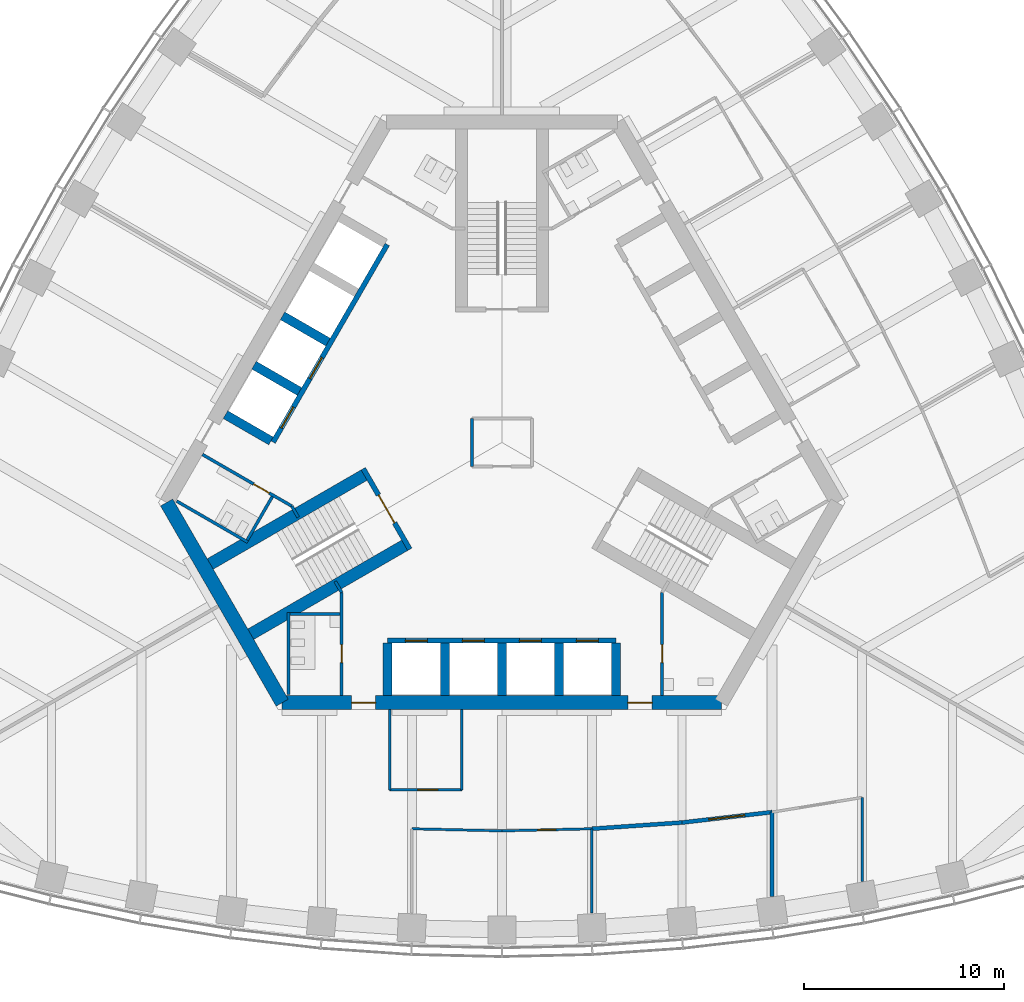
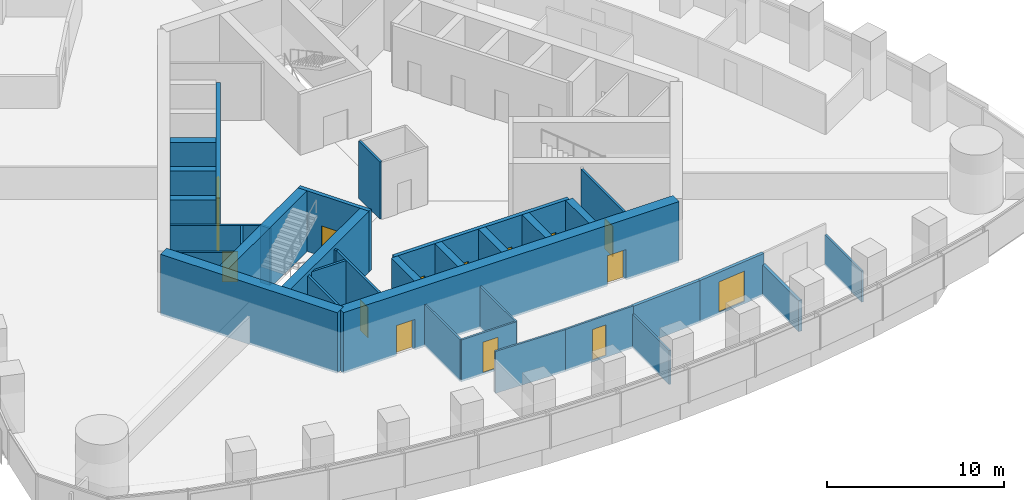
# One storey, part 11 of 19: 35 walls, 15 doors, 15 openings.
"""IFC4 building model written with IfcOpenShell, lengths in metres."""

from ifc_helpers import new_model, si_unit, direction, frame, frame_2d, origin, place, context, subcontext, project, spatial, rectangle, extrude, material, layer, layer_set, type_object, element, fill, save


model = new_model("IFC4")

# Units and contexts
model_context = context("Model", 3, precision=1e-05, world=origin(), true_north=direction((0.0, 1.0)))
body_context = subcontext(model_context, "Body", "Model", "MODEL_VIEW")
ifc_project = project(units=[si_unit("LENGTHUNIT", "METRE"), si_unit("AREAUNIT", "SQUARE_METRE"), si_unit("VOLUMEUNIT", "CUBIC_METRE"), si_unit("PLANEANGLEUNIT", "RADIAN"), si_unit("MASSUNIT", "GRAM", prefix="KILO")], contexts=[model_context])

# Site, building, storey
site_placement = place(None, origin())
site = spatial("IfcSite", under=ifc_project, at=site_placement, CompositionType="ELEMENT")
building_placement = place(site_placement, origin())
building = spatial("IfcBuilding", under=site, at=building_placement, Name="Trefoil Bronze Tower", CompositionType="ELEMENT")
storey_placement = place(building_placement, frame((0.0, 0.0, 261.10009765625)))
storey = spatial("IfcBuildingStorey", under=building, at=storey_placement, Name="L60", CompositionType="ELEMENT", Elevation=261.10009765625)

# Wall
ifc_material_1 = material(Name="Gypsum board on steel studs", Category="steel")
ifc_layer_1 = layer(ifc_material_1, 0.199951171875)
ifc_layer_set_1 = layer_set([ifc_layer_1], Name="Acoustic partition 200")
wall_type_1 = type_object("IfcWallType", Name="Acoustic partition 200", PredefinedType="PARTITIONING", material=ifc_layer_set_1)
wall_1_placement = place(storey_placement, frame((4.5, -19.297119140625, 0.0), z_axis=(0.0, 0.0, 1.0), x_axis=(0.997623533978, 0.068900540297, 0.0)))
element("IfcWall", 1, at=wall_1_placement, inside=storey, type_object=wall_type_1, Name="Partition F1 L60", PredefinedType="PARTITIONING", context=body_context, shape_type="SweptSolid", body=[
    extrude(rectangle(XDim=4.5107421875, YDim=0.199951171875, at=frame_2d((2.25537109375, 0.0))), origin(), (0.0, 0.0, 1.0), 2.89990234375),
])

# Wall, opening, door
wall_2_placement = place(storey_placement, frame((9.0, -18.986328125, 0.0), z_axis=(0.0, 0.0, 1.0), x_axis=(0.993382946625, 0.114849124309, 0.0)))
wall_2 = element("IfcWall", 2, at=wall_2_placement, inside=storey, type_object=wall_type_1, Name="Partition F1 L60", PredefinedType="PARTITIONING", context=body_context, shape_type="SweptSolid", body=[
    extrude(rectangle(XDim=4.530029296875, YDim=0.199951171875, at=frame_2d((2.26513671875, 0.0))), origin(), (0.0, 0.0, 1.0), 2.89990234375),
])
opening_1_placement = place(wall_2_placement, frame((1.35009765625, 0.0, 0.14990234375)))
opening_1 = element("IfcOpeningElement", 3, at=opening_1_placement, cuts=wall_2, Name="Opening D10", PredefinedType="OPENING", context=body_context, shape_type="SweptSolid", body=[
    extrude(rectangle(XDim=1.800048828125, YDim=2.10009765625, at=frame_2d((0.89990234375, 1.050048828125))), frame((0.0, 0.10986328125, 0.0), z_axis=(0.0, -1.0, 0.0), x_axis=(1.0, 0.0, 0.0)), (0.0, 0.0, 1.0), 0.219970703125),
])
ifc_material_2 = material(Name="Timber door", Category="wood")
door_type_1 = type_object("IfcDoorType", Name="Double door 1800", OperationType="DOUBLE_DOOR_SINGLE_SWING", PredefinedType="DOOR", material=ifc_material_2)
door_1_placement = place(opening_1_placement, frame((1.800048828125, 0.0, 0.0), z_axis=(0.0, 0.0, 1.0), x_axis=(-1.0, 0.0, 0.0)))
door_1 = element("IfcDoor", 4, at=door_1_placement, inside=storey, type_object=door_type_1, Name="Private dining room door F1 L60", OperationType="DOUBLE_DOOR_SINGLE_SWING", OverallHeight=2.10009765625, OverallWidth=1.800048828125, PredefinedType="DOOR", context=body_context, shape_type="SweptSolid", body=[
    extrude(rectangle(XDim=1.800048828125, YDim=2.10009765625, at=frame_2d((0.89990234375, 1.050048828125))), frame((0.0, 0.02490234375, 0.0), z_axis=(0.0, -1.0, 0.0), x_axis=(1.0, 0.0, 0.0)), (0.0, 0.0, 1.0), 0.050048828125),
])
fill(opening_1, door_1)

# Wall
wall_3_placement = place(storey_placement, frame((13.5, -18.466064453125, 0.0), z_axis=(0.0, 0.0, 1.0), x_axis=(0.0, -1.0, 0.0)))
element("IfcWall", 5, at=wall_3_placement, inside=storey, type_object=wall_type_1, Name="Partition F1 L60", PredefinedType="PARTITIONING", context=body_context, shape_type="SweptSolid", body=[
    extrude(rectangle(XDim=4.205322265625, YDim=0.199951171875, at=frame_2d((2.1025390625, 0.0))), origin(), (0.0, 0.0, 1.0), 2.14990234375),
])

# Wall, openings, doors
ifc_material_3 = material(Name="Concrete B80", Category="concrete")
ifc_layer_2 = layer(ifc_material_3, 0.699951171875)
ifc_layer_set_2 = layer_set([ifc_layer_2], Name="Core wall 700")
wall_type_2 = type_object("IfcWallType", Name="Core wall 700", PredefinedType="SHEAR", material=ifc_layer_set_2)
wall_4_placement = place(storey_placement, frame((-10.9697265625, -13.0, 0.0), z_axis=(0.0, 0.0, 1.0), x_axis=(1.0, 0.0, 0.0)))
wall_4 = element("IfcWall", 6, at=wall_4_placement, inside=storey, type_object=wall_type_2, Name="Core long wall 1 L60", PredefinedType="SHEAR", context=body_context, shape_type="SweptSolid", body=[
    extrude(rectangle(XDim=21.939453125, YDim=0.699951171875, at=frame_2d((10.9697265625, 0.0))), origin(), (0.0, 0.0, 1.0), 4.199951171875),
])
opening_2_placement = place(wall_4_placement, frame((17.269775390625, 0.0, 0.0)))
opening_2 = element("IfcOpeningElement", 7, at=opening_2_placement, cuts=wall_4, Name="Opening D2", PredefinedType="OPENING", context=body_context, shape_type="SweptSolid", body=[
    extrude(rectangle(XDim=1.199951171875, YDim=2.10009765625, at=frame_2d((0.60009765625, 1.050048828125))), frame((0.0, 0.35986328125, 0.0), z_axis=(0.0, -1.0, 0.0), x_axis=(1.0, 0.0, 0.0)), (0.0, 0.0, 1.0), 0.719970703125),
])
opening_3_placement = place(wall_4_placement, frame((3.4697265625, 0.0, 0.0)))
opening_3 = element("IfcOpeningElement", 8, at=opening_3_placement, cuts=wall_4, Name="Opening D2", PredefinedType="OPENING", context=body_context, shape_type="SweptSolid", body=[
    extrude(rectangle(XDim=1.199951171875, YDim=2.10009765625, at=frame_2d((0.60009765625, 1.050048828125))), frame((0.0, 0.35986328125, 0.0), z_axis=(0.0, -1.0, 0.0), x_axis=(1.0, 0.0, 0.0)), (0.0, 0.0, 1.0), 0.719970703125),
])
ifc_material_4 = material(Name="Steel door", Category="steel")
door_type_2 = type_object("IfcDoorType", Name="Lobby door 1200", OperationType="SINGLE_SWING_RIGHT", PredefinedType="DOOR", material=ifc_material_4)
door_2_placement = place(opening_2_placement, origin())
door_2 = element("IfcDoor", 9, at=door_2_placement, inside=storey, type_object=door_type_2, Name="Lobby door F1+ L60", OperationType="SINGLE_SWING_RIGHT", OverallHeight=2.10009765625, OverallWidth=1.199951171875, PredefinedType="DOOR", context=body_context, shape_type="SweptSolid", body=[
    extrude(rectangle(XDim=1.199951171875, YDim=2.10009765625, at=frame_2d((0.60009765625, 1.050048828125))), frame((0.0, 0.02490234375, 0.0), z_axis=(0.0, -1.0, 0.0), x_axis=(1.0, 0.0, 0.0)), (0.0, 0.0, 1.0), 0.050048828125),
])
fill(opening_2, door_2)
door_3_placement = place(opening_3_placement, origin())
door_3 = element("IfcDoor", 10, at=door_3_placement, inside=storey, type_object=door_type_2, Name="Lobby door F1- L60", OperationType="SINGLE_SWING_LEFT", OverallHeight=2.10009765625, OverallWidth=1.199951171875, PredefinedType="DOOR", context=body_context, shape_type="SweptSolid", body=[
    extrude(rectangle(XDim=1.199951171875, YDim=2.10009765625, at=frame_2d((0.60009765625, 1.050048828125))), frame((0.0, 0.02490234375, 0.0), z_axis=(0.0, -1.0, 0.0), x_axis=(1.0, 0.0, 0.0)), (0.0, 0.0, 1.0), 0.050048828125),
])
fill(opening_3, door_3)

# Wall
wall_5_placement = place(storey_placement, frame((-16.7431640625, -3.0, 0.0), z_axis=(0.0, 0.0, 1.0), x_axis=(0.499995765644, -0.866027848477, 0.0)))
element("IfcWall", 11, at=wall_5_placement, inside=storey, type_object=wall_type_2, Name="Core short wall 3 L60", PredefinedType="SHEAR", context=body_context, shape_type="SweptSolid", body=[
    extrude(rectangle(XDim=11.546875, YDim=0.699951171875, at=frame_2d((5.7734375, 0.0))), origin(), (0.0, 0.0, 1.0), 4.199951171875),
])

# Wall, opening, door
ifc_material_5 = material(Name="Glazed partition", Category="glass")
ifc_layer_3 = layer(ifc_material_5, 0.1201171875)
ifc_layer_set_3 = layer_set([ifc_layer_3], Name="Glazed partition 120")
wall_type_3 = type_object("IfcWallType", Name="Glazed partition 120", PredefinedType="PARTITIONING", material=ifc_layer_set_3)
wall_6_placement = place(storey_placement, frame((-5.60009765625, -17.35009765625, 0.0), z_axis=(0.0, 0.0, 1.0), x_axis=(1.0, 0.0, 0.0)))
wall_6 = element("IfcWall", 12, at=wall_6_placement, inside=storey, type_object=wall_type_3, Name="Partition F1 L60", PredefinedType="PARTITIONING", context=body_context, shape_type="SweptSolid", body=[
    extrude(rectangle(XDim=3.60009765625, YDim=0.1201171875, at=frame_2d((1.800048828125, 0.0))), origin(), (0.0, 0.0, 1.0), 2.89990234375),
])
opening_4_placement = place(wall_6_placement, frame((1.39990234375, 0.0, 0.14990234375)))
opening_4 = element("IfcOpeningElement", 13, at=opening_4_placement, cuts=wall_6, Name="Opening D9", PredefinedType="OPENING", context=body_context, shape_type="SweptSolid", body=[
    extrude(rectangle(XDim=1.0, YDim=2.10009765625, at=frame_2d((0.5, 1.050048828125))), frame((0.0, 0.070068359375, 0.0), z_axis=(0.0, -1.0, 0.0), x_axis=(1.0, 0.0, 0.0)), (0.0, 0.0, 1.0), 0.14013671875),
])
ifc_material_6 = material(Name="Glazed timber door", Category="wood")
door_type_3 = type_object("IfcDoorType", Name="Meeting room door 1000", OperationType="SINGLE_SWING_LEFT", PredefinedType="DOOR", material=ifc_material_6)
door_4_placement = place(opening_4_placement, origin())
door_4 = element("IfcDoor", 14, at=door_4_placement, inside=storey, type_object=door_type_3, Name="Meeting room door F1 L60", OperationType="SINGLE_SWING_RIGHT", OverallHeight=2.10009765625, OverallWidth=1.0, PredefinedType="DOOR", context=body_context, shape_type="SweptSolid", body=[
    extrude(rectangle(XDim=1.0, YDim=2.10009765625, at=frame_2d((0.5, 1.050048828125))), frame((0.0, 0.02490234375, 0.0), z_axis=(0.0, -1.0, 0.0), x_axis=(1.0, 0.0, 0.0)), (0.0, 0.0, 1.0), 0.050048828125),
])
fill(opening_4, door_4)

# Walls
for number, where, z_axis, x_axis, name in (
    (15, (-2.0, -13.35009765625, 0.0), (0.0, 0.0, 1.0), (0.0, -1.0, 0.0), "Partition F1 L60"),
    (16, (-5.60009765625, -13.35009765625, 0.0), (0.0, 0.0, 1.0), (0.0, -1.0, 0.0), "Partition F1 L60"),
):
    element("IfcWall", number, at=place(storey_placement, frame(where, z_axis=z_axis, x_axis=x_axis)), inside=storey, type_object=wall_type_3, Name=name, PredefinedType="PARTITIONING", context=body_context, shape_type="SweptSolid", body=[
        extrude(rectangle(XDim=4.0, YDim=0.1201171875, at=frame_2d((2.0, 0.0))), origin(), (0.0, 0.0, 1.0), 2.89990234375),
    ])

# Wall, opening, door
wall_7_placement = place(storey_placement, frame((0.0, -19.400634765625, 0.0), z_axis=(0.0, 0.0, 1.0), x_axis=(0.99973552509, 0.022997388381, 0.0)))
wall_7 = element("IfcWall", 17, at=wall_7_placement, inside=storey, type_object=wall_type_3, Name="Partition F1 L60", PredefinedType="PARTITIONING", context=body_context, shape_type="SweptSolid", body=[
    extrude(rectangle(XDim=4.501220703125, YDim=0.1201171875, at=frame_2d((2.25048828125, 0.0))), origin(), (0.0, 0.0, 1.0), 2.89990234375),
])
opening_5_placement = place(wall_7_placement, frame((1.800048828125, 0.0, 0.14990234375)))
opening_5 = element("IfcOpeningElement", 18, at=opening_5_placement, cuts=wall_7, Name="Opening D8", PredefinedType="OPENING", context=body_context, shape_type="SweptSolid", body=[
    extrude(rectangle(XDim=0.89990234375, YDim=2.10009765625, at=frame_2d((0.449951171875, 1.050048828125))), frame((0.0, 0.070068359375, 0.0), z_axis=(0.0, -1.0, 0.0), x_axis=(1.0, 0.0, 0.0)), (0.0, 0.0, 1.0), 0.14013671875),
])
ifc_material_7 = material(Name="Timber door", Category="wood")
door_type_4 = type_object("IfcDoorType", Name="Office door 900", OperationType="SINGLE_SWING_LEFT", PredefinedType="DOOR", material=ifc_material_7)
door_5_placement = place(opening_5_placement, frame((0.89990234375, 0.0, 0.0), z_axis=(0.0, 0.0, 1.0), x_axis=(-1.0, 0.0, 0.0)))
door_5 = element("IfcDoor", 19, at=door_5_placement, inside=storey, type_object=door_type_4, Name="Chairman's office door F1 L60", OperationType="SINGLE_SWING_RIGHT", OverallHeight=2.10009765625, OverallWidth=0.89990234375, PredefinedType="DOOR", context=body_context, shape_type="SweptSolid", body=[
    extrude(rectangle(XDim=0.89990234375, YDim=2.10009765625, at=frame_2d((0.449951171875, 1.050048828125))), frame((0.0, 0.02490234375, 0.0), z_axis=(0.0, -1.0, 0.0), x_axis=(1.0, 0.0, 0.0)), (0.0, 0.0, 1.0), 0.050048828125),
])
fill(opening_5, door_5)

# Walls
wall_8_placement = place(storey_placement, frame((-4.5, -19.297119140625, 0.0), z_axis=(0.0, 0.0, 1.0), x_axis=(0.99973552509, -0.022997388381, 0.0)))
element("IfcWall", 20, at=wall_8_placement, inside=storey, type_object=wall_type_3, Name="Partition F1 L60", PredefinedType="PARTITIONING", context=body_context, shape_type="SweptSolid", body=[
    extrude(rectangle(XDim=4.501220703125, YDim=0.1201171875, at=frame_2d((2.25048828125, 0.0))), origin(), (0.0, 0.0, 1.0), 2.89990234375),
])
wall_9_placement = place(storey_placement, frame((18.0, -17.73291015625, 0.0), z_axis=(0.0, 0.0, 1.0), x_axis=(0.0, -1.0, 0.0)))
element("IfcWall", 21, at=wall_9_placement, inside=storey, type_object=wall_type_3, Name="Partition F1 L60", PredefinedType="PARTITIONING", context=body_context, shape_type="SweptSolid", body=[
    extrude(rectangle(XDim=4.193603515625, YDim=0.1201171875, at=frame_2d((2.0966796875, 0.0))), origin(), (0.0, 0.0, 1.0), 2.14990234375),
])
wall_10_placement = place(storey_placement, frame((4.5, -19.297119140625, 0.0), z_axis=(0.0, 0.0, 1.0), x_axis=(0.0, -1.0, 0.0)))
element("IfcWall", 22, at=wall_10_placement, inside=storey, type_object=wall_type_3, Name="Partition F1 L60", PredefinedType="PARTITIONING", context=body_context, shape_type="SweptSolid", body=[
    extrude(rectangle(XDim=4.218505859375, YDim=0.1201171875, at=frame_2d((2.109375, 0.0))), origin(), (0.0, 0.0, 1.0), 2.349853515625),
])
ifc_material_8 = material(Name="Concrete B80", Category="concrete")
ifc_layer_4 = layer(ifc_material_8, 0.449951171875)
ifc_layer_set_4 = layer_set([ifc_layer_4], Name="Outrigger shaft wall 450")
wall_type_4 = type_object("IfcWallType", Name="Outrigger shaft wall 450", PredefinedType="SHEAR", material=ifc_layer_set_4)
for number, where, z_axis, x_axis, name in (
    (23, (-5.699951171875, -10.02490234375, 0.0), (0.0, 0.0, 1.0), (0.0, -1.0, 0.0), "Lift shaft side wall A0 L60"),
    (24, (-2.85009765625, -10.02490234375, 0.0), (0.0, 0.0, 1.0), (0.0, -1.0, 0.0), "Lift shaft side wall A1 L60"),
    (25, (0.0, -10.02490234375, 0.0), (0.0, 0.0, 1.0), (0.0, -1.0, 0.0), "Lift shaft side wall A2 L60"),
    (26, (2.85009765625, -10.02490234375, 0.0), (0.0, 0.0, 1.0), (0.0, -1.0, 0.0), "Lift shaft side wall A3 L60"),
    (27, (5.699951171875, -10.02490234375, 0.0), (0.0, 0.0, 1.0), (0.0, -1.0, 0.0), "Lift shaft side wall A4 L60"),
    (28, (-8.681884765625, 5.012451171875, 0.0), (0.0, 0.0, 1.0), (-0.866036909293, 0.499980071345, 0.0), "Lift shaft side wall C2 L60"),
    (29, (-10.10693359375, 2.54443359375, 0.0), (0.0, 0.0, 1.0), (-0.866013657776, 0.500020344131, 0.0), "Lift shaft side wall C3 L60"),
    (30, (-11.531982421875, 0.076171875, 0.0), (0.0, 0.0, 1.0), (-0.866013657776, 0.500020344131, 0.0), "Lift shaft side wall C4 L60"),
):
    element("IfcWall", number, at=place(storey_placement, frame(where, z_axis=z_axis, x_axis=x_axis)), inside=storey, type_object=wall_type_4, Name=name, PredefinedType="SHEAR", context=body_context, shape_type="SweptSolid", body=[
        extrude(rectangle(XDim=2.625, YDim=0.449951171875, at=frame_2d((1.3125, 0.0))), origin(), (0.0, 0.0, 1.0), 4.199951171875),
    ])

# Wall, opening, door
ifc_material_9 = material(Name="Gypsum board on steel studs", Category="steel")
ifc_layer_5 = layer(ifc_material_9, 0.14990234375)
ifc_layer_set_5 = layer_set([ifc_layer_5], Name="Partition 150")
wall_type_5 = type_object("IfcWallType", Name="Partition 150", PredefinedType="PARTITIONING", material=ifc_layer_set_5)
wall_11_placement = place(storey_placement, frame((8.0, -7.5, 0.0), z_axis=(0.0, 0.0, 1.0), x_axis=(0.0, -1.0, 0.0)))
wall_11 = element("IfcWall", 31, at=wall_11_placement, inside=storey, type_object=wall_type_5, Name="Passage wall F1+ L60", PredefinedType="PARTITIONING", context=body_context, shape_type="SweptSolid", body=[
    extrude(rectangle(XDim=5.14990234375, YDim=0.14990234375, at=frame_2d((2.574951171875, 0.0))), origin(), (0.0, 0.0, 1.0), 3.949951171875),
])
opening_6_placement = place(wall_11_placement, frame((2.60009765625, 0.0, 0.0)))
opening_6 = element("IfcOpeningElement", 32, at=opening_6_placement, cuts=wall_11, Name="Opening D3", PredefinedType="OPENING", context=body_context, shape_type="SweptSolid", body=[
    extrude(rectangle(XDim=0.89990234375, YDim=2.10009765625, at=frame_2d((0.449951171875, 1.050048828125))), frame((0.0, 0.0849609375, 0.0), z_axis=(0.0, -1.0, 0.0), x_axis=(1.0, 0.0, 0.0)), (0.0, 0.0, 1.0), 0.169921875),
])
ifc_material_10 = material(Name="Timber door", Category="wood")
door_type_5 = type_object("IfcDoorType", Name="WC door 900", OperationType="SINGLE_SWING_LEFT", PredefinedType="DOOR", material=ifc_material_10)
door_6_placement = place(opening_6_placement, origin())
door_6 = element("IfcDoor", 33, at=door_6_placement, inside=storey, type_object=door_type_5, Name="Accessible WC door L60", OperationType="SINGLE_SWING_RIGHT", OverallHeight=2.10009765625, OverallWidth=0.89990234375, PredefinedType="DOOR", context=body_context, shape_type="SweptSolid", body=[
    extrude(rectangle(XDim=0.89990234375, YDim=2.10009765625, at=frame_2d((0.449951171875, 1.050048828125))), frame((0.0, 0.02490234375, 0.0), z_axis=(0.0, -1.0, 0.0), x_axis=(1.0, 0.0, 0.0)), (0.0, 0.0, 1.0), 0.050048828125),
])
fill(opening_6, door_6)

wall_12_placement = place(storey_placement, frame((-8.0, -7.5, 0.0), z_axis=(0.0, 0.0, 1.0), x_axis=(0.0, -1.0, 0.0)))
wall_12 = element("IfcWall", 34, at=wall_12_placement, inside=storey, type_object=wall_type_5, Name="Passage wall F1- L60", PredefinedType="PARTITIONING", context=body_context, shape_type="SweptSolid", body=[
    extrude(rectangle(XDim=5.14990234375, YDim=0.14990234375, at=frame_2d((2.574951171875, 0.0))), origin(), (0.0, 0.0, 1.0), 3.949951171875),
])
opening_7_placement = place(wall_12_placement, frame((2.60009765625, 0.0, 0.0)))
opening_7 = element("IfcOpeningElement", 35, at=opening_7_placement, cuts=wall_12, Name="Opening D3", PredefinedType="OPENING", context=body_context, shape_type="SweptSolid", body=[
    extrude(rectangle(XDim=0.89990234375, YDim=2.10009765625, at=frame_2d((0.449951171875, 1.050048828125))), frame((0.0, 0.0849609375, 0.0), z_axis=(0.0, -1.0, 0.0), x_axis=(1.0, 0.0, 0.0)), (0.0, 0.0, 1.0), 0.169921875),
])
door_7_placement = place(opening_7_placement, frame((0.89990234375, 0.0, 0.0), z_axis=(0.0, 0.0, 1.0), x_axis=(-1.0, 0.0, 0.0)))
door_7 = element("IfcDoor", 36, at=door_7_placement, inside=storey, type_object=door_type_5, Name="WC (women) door L60", OperationType="SINGLE_SWING_RIGHT", OverallHeight=2.10009765625, OverallWidth=0.89990234375, PredefinedType="DOOR", context=body_context, shape_type="SweptSolid", body=[
    extrude(rectangle(XDim=0.89990234375, YDim=2.10009765625, at=frame_2d((0.449951171875, 1.050048828125))), frame((0.0, 0.02490234375, 0.0), z_axis=(0.0, -1.0, 0.0), x_axis=(1.0, 0.0, 0.0)), (0.0, 0.0, 1.0), 0.050048828125),
])
fill(opening_7, door_7)

wall_13_placement = place(storey_placement, frame((-10.4951171875, -3.17822265625, 0.0), z_axis=(0.0, 0.0, 1.0), x_axis=(-0.866037967349, 0.499978238636, 0.0)))
wall_13 = element("IfcWall", 37, at=wall_13_placement, inside=storey, type_object=wall_type_5, Name="Passage wall F3+ L60", PredefinedType="PARTITIONING", context=body_context, shape_type="SweptSolid", body=[
    extrude(rectangle(XDim=5.150146484375, YDim=0.14990234375, at=frame_2d((2.5751953125, 0.0))), origin(), (0.0, 0.0, 1.0), 3.949951171875),
])
opening_8_placement = place(wall_13_placement, frame((1.300048828125, 0.0, 0.0)))
opening_8 = element("IfcOpeningElement", 38, at=opening_8_placement, cuts=wall_13, Name="Opening D3", PredefinedType="OPENING", context=body_context, shape_type="SweptSolid", body=[
    extrude(rectangle(XDim=0.89990234375, YDim=2.10009765625, at=frame_2d((0.449951171875, 1.050048828125))), frame((0.0, 0.0849609375, 0.0), z_axis=(0.0, -1.0, 0.0), x_axis=(1.0, 0.0, 0.0)), (0.0, 0.0, 1.0), 0.169921875),
])
door_8_placement = place(opening_8_placement, origin())
door_8 = element("IfcDoor", 39, at=door_8_placement, inside=storey, type_object=door_type_5, Name="WC (men) door L60", OperationType="SINGLE_SWING_LEFT", OverallHeight=2.10009765625, OverallWidth=0.89990234375, PredefinedType="DOOR", context=body_context, shape_type="SweptSolid", body=[
    extrude(rectangle(XDim=0.89990234375, YDim=2.10009765625, at=frame_2d((0.449951171875, 1.050048828125))), frame((0.0, 0.02490234375, 0.0), z_axis=(0.0, -1.0, 0.0), x_axis=(1.0, 0.0, 0.0)), (0.0, 0.0, 1.0), 0.050048828125),
])
fill(opening_8, door_8)

# Walls
for number, where, z_axis, x_axis, name in (
    (40, (-10.4951171875, -3.17822265625, 0.0), (0.0, 0.0, 1.0), (0.499842556608, -0.866116284689, 0.0), "WC wall ST3-1 L60"),
    (41, (-8.0, -7.5, 0.0), (0.0, 0.0, 1.0), (-0.499842556608, 0.866116284689, 0.0), "WC wall ST3+1 L60"),
):
    element("IfcWall", number, at=place(storey_placement, frame(where, z_axis=z_axis, x_axis=x_axis)), inside=storey, type_object=wall_type_5, Name=name, PredefinedType="PARTITIONING", context=body_context, shape_type="SweptSolid", body=[
        extrude(rectangle(XDim=0.645263671875, YDim=0.14990234375, at=frame_2d((0.32275390625, 0.0))), origin(), (0.0, 0.0, 1.0), 3.949951171875),
    ])
wall_14_placement = place(storey_placement, frame((-12.691162109375, -4.98193359375, 0.0), z_axis=(0.0, 0.0, 1.0), x_axis=(-0.8660249478, 0.500000789788, 0.0)))
element("IfcWall", 42, at=wall_14_placement, inside=storey, type_object=wall_type_5, Name="WC partition WC (men) L60", PredefinedType="PARTITIONING", context=body_context, shape_type="SweptSolid", body=[
    extrude(rectangle(XDim=4.10009765625, YDim=0.14990234375, at=frame_2d((2.050048828125, 0.0))), origin(), (0.0, 0.0, 1.0), 3.949951171875),
])
wall_15_placement = place(storey_placement, frame((-11.463623046875, -2.70556640625, 0.0), z_axis=(0.0, 0.0, 1.0), x_axis=(-0.50001992892, -0.866013897511, 0.0)))
element("IfcWall", 43, at=wall_15_placement, inside=storey, type_object=wall_type_5, Name="WC partition WC (men) L60", PredefinedType="PARTITIONING", context=body_context, shape_type="SweptSolid", body=[
    extrude(rectangle(XDim=2.51025390625, YDim=0.14990234375, at=frame_2d((1.255126953125, 0.0))), origin(), (0.0, 0.0, 1.0), 3.949951171875),
])
wall_16_placement = place(storey_placement, frame((-10.659912109375, -8.5, 0.0), z_axis=(0.0, 0.0, 1.0), x_axis=(0.0, -1.0, 0.0)))
element("IfcWall", 44, at=wall_16_placement, inside=storey, type_object=wall_type_5, Name="WC partition WC (women) L60", PredefinedType="PARTITIONING", context=body_context, shape_type="SweptSolid", body=[
    extrude(rectangle(XDim=4.10009765625, YDim=0.14990234375, at=frame_2d((2.050048828125, 0.0))), origin(), (0.0, 0.0, 1.0), 3.949951171875),
])
wall_17_placement = place(storey_placement, frame((-8.074951171875, -8.574951171875, 0.0), z_axis=(0.0, 0.0, 1.0), x_axis=(-1.0, 0.0, 0.0)))
element("IfcWall", 45, at=wall_17_placement, inside=storey, type_object=wall_type_5, Name="WC partition WC (women) L60", PredefinedType="PARTITIONING", context=body_context, shape_type="SweptSolid", body=[
    extrude(rectangle(XDim=2.510009765625, YDim=0.14990234375, at=frame_2d((1.2548828125, 0.0))), origin(), (0.0, 0.0, 1.0), 3.949951171875),
])
ifc_material_11 = material(Name="Gypsum board on steel studs", Category="steel")
ifc_layer_6 = layer(ifc_material_11, 0.14990234375)
ifc_layer_set_6 = layer_set([ifc_layer_6], Name="Riser wall 150")
wall_type_6 = type_object("IfcWallType", Name="Riser wall 150", PredefinedType="PARTITIONING", material=ifc_layer_set_6)
wall_18_placement = place(storey_placement, frame((-1.5, 1.199951171875, 0.0), z_axis=(0.0, 0.0, 1.0), x_axis=(0.0, -1.0, 0.0)))
element("IfcWall", 46, at=wall_18_placement, inside=storey, type_object=wall_type_6, Name="Riser wall L60", PredefinedType="PARTITIONING", context=body_context, shape_type="SweptSolid", body=[
    extrude(rectangle(XDim=2.39990234375, YDim=0.14990234375, at=frame_2d((1.199951171875, 0.0))), origin(), (0.0, 0.0, 1.0), 3.949951171875),
])

# Wall, openings, doors
ifc_material_12 = material(Name="Concrete B80", Category="concrete")
ifc_layer_7 = layer(ifc_material_12, 0.25)
ifc_layer_set_7 = layer_set([ifc_layer_7], Name="Shaft wall 250")
wall_type_7 = type_object("IfcWallType", Name="Shaft wall 250", PredefinedType="SHEAR", material=ifc_layer_set_7)
wall_19_placement = place(storey_placement, frame((-5.699951171875, -9.89990234375, 0.0), z_axis=(0.0, 0.0, 1.0), x_axis=(1.0, 0.0, 0.0)))
wall_19 = element("IfcWall", 47, at=wall_19_placement, inside=storey, type_object=wall_type_7, Name="Lift shaft front wall A L60", PredefinedType="SHEAR", context=body_context, shape_type="SweptSolid", body=[
    extrude(rectangle(XDim=11.39990234375, YDim=0.25, at=frame_2d((5.699951171875, 0.0))), origin(), (0.0, 0.0, 1.0), 4.199951171875),
])
opening_9_placement = place(wall_19_placement, frame((0.875, 0.0, 0.0)))
opening_9 = element("IfcOpeningElement", 48, at=opening_9_placement, cuts=wall_19, Name="Opening LD-P31", PredefinedType="OPENING", context=body_context, shape_type="SweptSolid", body=[
    extrude(rectangle(XDim=1.10009765625, YDim=2.199951171875, at=frame_2d((0.550048828125, 1.10009765625))), frame((0.0, 0.135009765625, 0.0), z_axis=(0.0, -1.0, 0.0), x_axis=(1.0, 0.0, 0.0)), (0.0, 0.0, 1.0), 0.27001953125),
])
opening_10_placement = place(wall_19_placement, frame((3.72509765625, 0.0, 0.0)))
opening_10 = element("IfcOpeningElement", 49, at=opening_10_placement, cuts=wall_19, Name="Opening LD-P32", PredefinedType="OPENING", context=body_context, shape_type="SweptSolid", body=[
    extrude(rectangle(XDim=1.10009765625, YDim=2.199951171875, at=frame_2d((0.550048828125, 1.10009765625))), frame((0.0, 0.135009765625, 0.0), z_axis=(0.0, -1.0, 0.0), x_axis=(1.0, 0.0, 0.0)), (0.0, 0.0, 1.0), 0.27001953125),
])
opening_11_placement = place(wall_19_placement, frame((6.574951171875, 0.0, 0.0)))
opening_11 = element("IfcOpeningElement", 50, at=opening_11_placement, cuts=wall_19, Name="Opening LD-P33", PredefinedType="OPENING", context=body_context, shape_type="SweptSolid", body=[
    extrude(rectangle(XDim=1.10009765625, YDim=2.199951171875, at=frame_2d((0.550048828125, 1.10009765625))), frame((0.0, 0.135009765625, 0.0), z_axis=(0.0, -1.0, 0.0), x_axis=(1.0, 0.0, 0.0)), (0.0, 0.0, 1.0), 0.27001953125),
])
opening_12_placement = place(wall_19_placement, frame((9.425048828125, 0.0, 0.0)))
opening_12 = element("IfcOpeningElement", 51, at=opening_12_placement, cuts=wall_19, Name="Opening LD-P34", PredefinedType="OPENING", context=body_context, shape_type="SweptSolid", body=[
    extrude(rectangle(XDim=1.10009765625, YDim=2.199951171875, at=frame_2d((0.550048828125, 1.10009765625))), frame((0.0, 0.135009765625, 0.0), z_axis=(0.0, -1.0, 0.0), x_axis=(1.0, 0.0, 0.0)), (0.0, 0.0, 1.0), 0.27001953125),
])
ifc_material_13 = material(Name="Steel door", Category="steel")
door_type_6 = type_object("IfcDoorType", Name="Lift landing door 1100", OperationType="DOUBLE_DOOR_SLIDING", PredefinedType="DOOR", material=ifc_material_13)
door_9_placement = place(opening_9_placement, origin())
door_9 = element("IfcDoor", 52, at=door_9_placement, inside=storey, type_object=door_type_6, Name="Lift P31 landing door L60", OperationType="DOUBLE_DOOR_SLIDING", OverallHeight=2.199951171875, OverallWidth=1.10009765625, PredefinedType="DOOR", context=body_context, shape_type="SweptSolid", body=[
    extrude(rectangle(XDim=1.10009765625, YDim=2.199951171875, at=frame_2d((0.550048828125, 1.10009765625))), frame((0.0, 0.02490234375, 0.0), z_axis=(0.0, -1.0, 0.0), x_axis=(1.0, 0.0, 0.0)), (0.0, 0.0, 1.0), 0.050048828125),
])
fill(opening_9, door_9)
door_10_placement = place(opening_10_placement, origin())
door_10 = element("IfcDoor", 53, at=door_10_placement, inside=storey, type_object=door_type_6, Name="Lift P32 landing door L60", OperationType="DOUBLE_DOOR_SLIDING", OverallHeight=2.199951171875, OverallWidth=1.10009765625, PredefinedType="DOOR", context=body_context, shape_type="SweptSolid", body=[
    extrude(rectangle(XDim=1.10009765625, YDim=2.199951171875, at=frame_2d((0.550048828125, 1.10009765625))), frame((0.0, 0.02490234375, 0.0), z_axis=(0.0, -1.0, 0.0), x_axis=(1.0, 0.0, 0.0)), (0.0, 0.0, 1.0), 0.050048828125),
])
fill(opening_10, door_10)
door_11_placement = place(opening_11_placement, origin())
door_11 = element("IfcDoor", 54, at=door_11_placement, inside=storey, type_object=door_type_6, Name="Lift P33 landing door L60", OperationType="DOUBLE_DOOR_SLIDING", OverallHeight=2.199951171875, OverallWidth=1.10009765625, PredefinedType="DOOR", context=body_context, shape_type="SweptSolid", body=[
    extrude(rectangle(XDim=1.10009765625, YDim=2.199951171875, at=frame_2d((0.550048828125, 1.10009765625))), frame((0.0, 0.02490234375, 0.0), z_axis=(0.0, -1.0, 0.0), x_axis=(1.0, 0.0, 0.0)), (0.0, 0.0, 1.0), 0.050048828125),
])
fill(opening_11, door_11)
door_12_placement = place(opening_12_placement, origin())
door_12 = element("IfcDoor", 55, at=door_12_placement, inside=storey, type_object=door_type_6, Name="Lift P34 landing door L60", OperationType="DOUBLE_DOOR_SLIDING", OverallHeight=2.199951171875, OverallWidth=1.10009765625, PredefinedType="DOOR", context=body_context, shape_type="SweptSolid", body=[
    extrude(rectangle(XDim=1.10009765625, YDim=2.199951171875, at=frame_2d((0.550048828125, 1.10009765625))), frame((0.0, 0.02490234375, 0.0), z_axis=(0.0, -1.0, 0.0), x_axis=(1.0, 0.0, 0.0)), (0.0, 0.0, 1.0), 0.050048828125),
])
fill(opening_12, door_12)

wall_20_placement = place(storey_placement, frame((-5.7236328125, 9.88623046875, 0.0), z_axis=(0.0, 0.0, 1.0), x_axis=(-0.500001763848, -0.866024385424, 0.0)))
wall_20 = element("IfcWall", 56, at=wall_20_placement, inside=storey, type_object=wall_type_7, Name="Lift shaft front wall C L60", PredefinedType="SHEAR", context=body_context, shape_type="SweptSolid", body=[
    extrude(rectangle(XDim=11.39990234375, YDim=0.25, at=frame_2d((5.699951171875, 0.0))), origin(), (0.0, 0.0, 1.0), 4.199951171875),
])
opening_13_placement = place(wall_20_placement, frame((6.52490234375, 0.0, 0.0)))
opening_13 = element("IfcOpeningElement", 57, at=opening_13_placement, cuts=wall_20, Name="Opening LD-FL1", PredefinedType="OPENING", context=body_context, shape_type="SweptSolid", body=[
    extrude(rectangle(XDim=1.199951171875, YDim=2.199951171875, at=frame_2d((0.60009765625, 1.10009765625))), frame((0.0, 0.135009765625, 0.0), z_axis=(0.0, -1.0, 0.0), x_axis=(1.0, 0.0, 0.0)), (0.0, 0.0, 1.0), 0.27001953125),
])
opening_14_placement = place(wall_20_placement, frame((9.375, 0.0, 0.0)))
opening_14 = element("IfcOpeningElement", 58, at=opening_14_placement, cuts=wall_20, Name="Opening LD-FL2", PredefinedType="OPENING", context=body_context, shape_type="SweptSolid", body=[
    extrude(rectangle(XDim=1.199951171875, YDim=2.199951171875, at=frame_2d((0.60009765625, 1.10009765625))), frame((0.0, 0.135009765625, 0.0), z_axis=(0.0, -1.0, 0.0), x_axis=(1.0, 0.0, 0.0)), (0.0, 0.0, 1.0), 0.27001953125),
])
ifc_material_14 = material(Name="Steel door", Category="steel")
door_type_7 = type_object("IfcDoorType", Name="Lift landing door 1200", OperationType="DOUBLE_DOOR_SLIDING", PredefinedType="DOOR", material=ifc_material_14)
door_13_placement = place(opening_13_placement, origin())
door_13 = element("IfcDoor", 59, at=door_13_placement, inside=storey, type_object=door_type_7, Name="Lift FL1 landing door L60", OperationType="DOUBLE_DOOR_SLIDING", OverallHeight=2.199951171875, OverallWidth=1.199951171875, PredefinedType="DOOR", context=body_context, shape_type="SweptSolid", body=[
    extrude(rectangle(XDim=1.199951171875, YDim=2.199951171875, at=frame_2d((0.60009765625, 1.10009765625))), frame((0.0, 0.02490234375, 0.0), z_axis=(0.0, -1.0, 0.0), x_axis=(1.0, 0.0, 0.0)), (0.0, 0.0, 1.0), 0.050048828125),
])
fill(opening_13, door_13)
door_14_placement = place(opening_14_placement, origin())
door_14 = element("IfcDoor", 60, at=door_14_placement, inside=storey, type_object=door_type_7, Name="Lift FL2 landing door L60", OperationType="DOUBLE_DOOR_SLIDING", OverallHeight=2.199951171875, OverallWidth=1.199951171875, PredefinedType="DOOR", context=body_context, shape_type="SweptSolid", body=[
    extrude(rectangle(XDim=1.199951171875, YDim=2.199951171875, at=frame_2d((0.60009765625, 1.10009765625))), frame((0.0, 0.02490234375, 0.0), z_axis=(0.0, -1.0, 0.0), x_axis=(1.0, 0.0, 0.0)), (0.0, 0.0, 1.0), 0.050048828125),
])
fill(opening_14, door_14)

# Wall, opening, door
wall_21_placement = place(storey_placement, frame((-6.921630859375, -1.3115234375, 0.0), z_axis=(0.0, 0.0, 1.0), x_axis=(0.499984536904, -0.866034331223, 0.0)))
wall_21 = element("IfcWall", 61, at=wall_21_placement, inside=storey, type_object=wall_type_7, Name="Stair end wall ST3 L60", PredefinedType="SHEAR", context=body_context, shape_type="SweptSolid", body=[
    extrude(rectangle(XDim=4.650146484375, YDim=0.25, at=frame_2d((2.3251953125, 0.0))), origin(), (0.0, 0.0, 1.0), 4.199951171875),
])
opening_15_placement = place(wall_21_placement, frame((1.52490234375, 0.0, 0.0)))
opening_15 = element("IfcOpeningElement", 62, at=opening_15_placement, cuts=wall_21, Name="Opening D1", PredefinedType="OPENING", context=body_context, shape_type="SweptSolid", body=[
    extrude(rectangle(XDim=1.60009765625, YDim=2.10009765625, at=frame_2d((0.800048828125, 1.050048828125))), frame((0.0, 0.135009765625, 0.0), z_axis=(0.0, -1.0, 0.0), x_axis=(1.0, 0.0, 0.0)), (0.0, 0.0, 1.0), 0.27001953125),
])
ifc_material_15 = material(Name="Steel door", Category="steel")
door_type_8 = type_object("IfcDoorType", Name="Stair door 1600", OperationType="DOUBLE_DOOR_SINGLE_SWING", PredefinedType="DOOR", material=ifc_material_15)
door_15_placement = place(opening_15_placement, frame((1.60009765625, 0.0, 0.0), z_axis=(0.0, 0.0, 1.0), x_axis=(-1.0, 0.0, 0.0)))
door_15 = element("IfcDoor", 63, at=door_15_placement, inside=storey, type_object=door_type_8, Name="Stair door ST3 L60", OperationType="DOUBLE_DOOR_SINGLE_SWING", OverallHeight=2.10009765625, OverallWidth=1.60009765625, PredefinedType="DOOR", context=body_context, shape_type="SweptSolid", body=[
    extrude(rectangle(XDim=1.60009765625, YDim=2.10009765625, at=frame_2d((0.800048828125, 1.050048828125))), frame((0.0, 0.02490234375, 0.0), z_axis=(0.0, -1.0, 0.0), x_axis=(1.0, 0.0, 0.0)), (0.0, 0.0, 1.0), 0.050048828125),
])
fill(opening_15, door_15)

# Walls
ifc_material_16 = material(Name="Concrete B80", Category="concrete")
ifc_layer_8 = layer(ifc_material_16, 0.60009765625)
ifc_layer_set_8 = layer_set([ifc_layer_8], Name="Stair wall 600")
wall_type_8 = type_object("IfcWallType", Name="Stair wall 600", PredefinedType="SHEAR", material=ifc_layer_set_8)
for number, where, z_axis, x_axis, name in (
    (64, (-6.663330078125, -1.5087890625, 0.0), (0.0, 0.0, 1.0), (-0.866028310072, -0.499994966129, 0.0), "Stair wall ST3 L60"),
    (65, (-4.638427734375, -5.01611328125, 0.0), (0.0, 0.0, 1.0), (-0.866021621257, -0.500006551472, 0.0), "Stair wall ST3 L60"),
):
    element("IfcWall", number, at=place(storey_placement, frame(where, z_axis=z_axis, x_axis=x_axis)), inside=storey, type_object=wall_type_8, Name=name, PredefinedType="SHEAR", context=body_context, shape_type="SweptSolid", body=[
        extrude(rectangle(XDim=9.125, YDim=0.60009765625, at=frame_2d((4.5625, 0.0))), origin(), (0.0, 0.0, 1.0), 4.199951171875),
    ])

save(model, "model.ifc")
